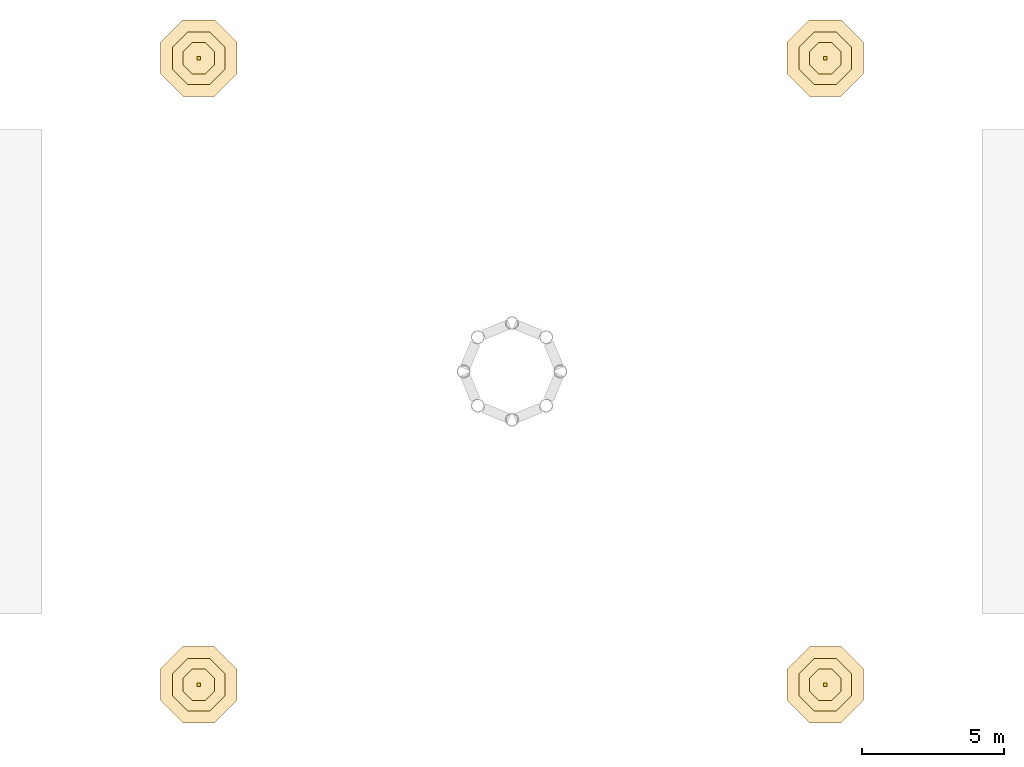
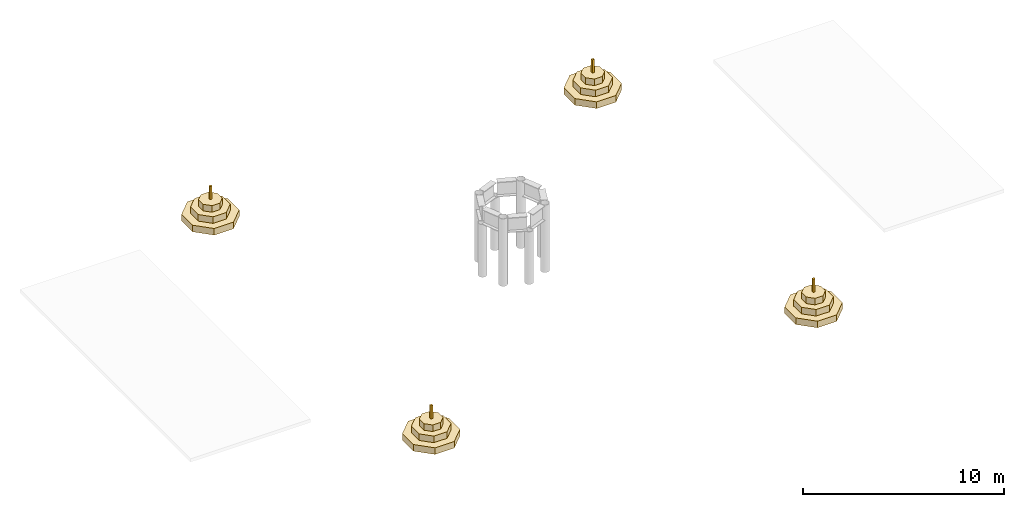
# One storey, part 2 of 2: 16 coverings.
"""IFC4 building model written with IfcOpenShell, lengths in metres."""

import ifcopenshell
import ifcopenshell.guid

model = None  # the IFC model being written
_history = None  # IfcOwnerHistory: only IFC2X3 demands one
_inside = {}  # id of a spatial element -> (the spatial element, [elements in it])
_under = {}  # id of a project, library or spatial element -> (it, [spatial elements below it])
_declared = {}  # id of a project -> (the project, [libraries it declares])
_typed = {}  # id of a type object -> (the type object, [elements of that type])
_made_of = {}  # id of a material, layer set ... -> (it, [elements and type objects made of it])


def new_model(schema):
    """Start an empty IFC model of exactly this schema.

    Asked for "IFC4X3", IfcOpenShell would pick the latest addendum, in which some entities
    have other attributes; the version numbers below select the first issue.
    IFC2X3 requires an IfcOwnerHistory on every rooted entity: one is made here for all.
    """
    global model, _history
    if schema == "IFC4X3":
        model = ifcopenshell.file(schema_version=(4, 3, 0, 0))
    else:
        model = ifcopenshell.file(schema=schema)
    _inside.clear()
    _under.clear()
    _declared.clear()
    _typed.clear()
    _made_of.clear()
    _history = None
    if model.schema == "IFC2X3":
        org = make("IfcOrganization", Name="unknown")
        user = make(
            "IfcPersonAndOrganization",
            ThePerson=make("IfcPerson", FamilyName="unknown"),
            TheOrganization=org,
        )
        app = make(
            "IfcApplication",
            ApplicationDeveloper=org,
            Version="unknown",
            ApplicationFullName="unknown",
            ApplicationIdentifier="unknown",
        )
        _history = make(
            "IfcOwnerHistory",
            OwningUser=user,
            OwningApplication=app,
            ChangeAction="ADDED",
            CreationDate=0,
        )
    return model


def make(cls, **values):
    """One entity of the class cls with the attributes given. An attribute that is None is left unset."""
    return model.create_entity(
        cls, **{name: value for name, value in values.items() if value is not None}
    )


def rooted(cls, **values):
    """An entity with a GlobalId (a new one), such as an element, a storey or a relation."""
    return make(cls, GlobalId=ifcopenshell.guid.new(), OwnerHistory=_history, **values)


def si_unit(unit_type, name, prefix=None):
    """IfcSIUnit, for example si_unit("LENGTHUNIT", "METRE", prefix="MILLI")."""
    return make("IfcSIUnit", UnitType=unit_type, Prefix=prefix, Name=name)


def assignment(units):
    """IfcUnitAssignment: the units of a project."""
    return None if units is None else make("IfcUnitAssignment", Units=units)


def point(xyz):
    """IfcCartesianPoint."""
    return None if xyz is None else make("IfcCartesianPoint", Coordinates=xyz)


def direction(xyz):
    """IfcDirection."""
    return None if xyz is None else make("IfcDirection", DirectionRatios=xyz)


def frame(location, z_axis=None, x_axis=None):
    """IfcAxis2Placement3D, a coordinate frame: its origin and axes. An axis left out is left unset."""
    return make(
        "IfcAxis2Placement3D",
        Location=point(location),
        Axis=direction(z_axis),
        RefDirection=direction(x_axis),
    )


def frame_2d(location, x_axis=None):
    """IfcAxis2Placement2D, a coordinate frame in the plane: its origin and x axis."""
    return make(
        "IfcAxis2Placement2D", Location=point(location), RefDirection=direction(x_axis)
    )


def origin():
    """The frame at (0, 0, 0) with its axes left unset."""
    return frame((0.0, 0.0, 0.0))


def origin_2d():
    """The frame at (0, 0) in the plane with its x axis left unset."""
    return frame_2d((0.0, 0.0))


def place(relative_to, where):
    """IfcLocalPlacement: puts the frame where relative to a parent placement (None: the world)."""
    return make(
        "IfcLocalPlacement", PlacementRelTo=relative_to, RelativePlacement=where
    )


def context(
    kind, dimensions, precision=None, world=None, true_north=None, identifier=None
):
    """IfcGeometricRepresentationContext, for example the 3D "Model" context."""
    return make(
        "IfcGeometricRepresentationContext",
        ContextIdentifier=identifier,
        ContextType=kind,
        CoordinateSpaceDimension=dimensions,
        Precision=precision,
        WorldCoordinateSystem=world,
        TrueNorth=true_north,
    )


def subcontext(parent, identifier, kind, view, scale=None):
    """IfcGeometricRepresentationSubContext, for example "Body" below "Model"."""
    return make(
        "IfcGeometricRepresentationSubContext",
        ContextIdentifier=identifier,
        ContextType=kind,
        ParentContext=parent,
        TargetScale=scale,
        TargetView=view,
    )


def project(units=None, contexts=None):
    """IfcProject with its units and contexts."""
    return rooted(
        "IfcProject",
        Name="project",
        RepresentationContexts=contexts,
        UnitsInContext=assignment(units),
    )


def spatial(cls, under=None, at=None, **own):
    """A site, building, storey or space (cls), placed at a placement, below another one or the project."""
    s = rooted(cls, ObjectPlacement=at, **own)
    if under is not None:
        _under.setdefault(under.id(), (under, []))[1].append(s)
    return s


def polyline(points):
    """IfcPolyline through the points."""
    return make("IfcPolyline", Points=[point(p) for p in points])


def profile(cls, at=None, kind="AREA", **sizes):
    """A parametric profile (cls). Its sizes go by their IFC names, for example OverallWidth=200.0."""
    return make(cls, ProfileType=kind, Position=at, **sizes)


def rectangle(**sizes):
    """IfcRectangleProfileDef."""
    return profile("IfcRectangleProfileDef", **sizes)


def outline(outer, holes=None, kind="AREA"):
    """IfcArbitraryClosedProfileDef: a profile drawn as a closed curve; with holes, ...WithVoids."""
    if holes is None:
        return make("IfcArbitraryClosedProfileDef", ProfileType=kind, OuterCurve=outer)
    return make(
        "IfcArbitraryProfileDefWithVoids",
        ProfileType=kind,
        OuterCurve=outer,
        InnerCurves=holes,
    )


def extrude(swept, where, along, depth):
    """IfcExtrudedAreaSolid: the profile swept, set in the frame where, extruded along a direction by depth."""
    return make(
        "IfcExtrudedAreaSolid",
        SweptArea=swept,
        Position=where,
        ExtrudedDirection=direction(along),
        Depth=depth,
    )


def shape(context_of_items, identifier, shape_type, items):
    """IfcShapeRepresentation: the items that make up one representation, for example the "Body"."""
    return make(
        "IfcShapeRepresentation",
        ContextOfItems=context_of_items,
        RepresentationIdentifier=identifier,
        RepresentationType=shape_type,
        Items=items,
    )


def material(Name=None, Category=None):
    """IfcMaterial."""
    return make("IfcMaterial", Name=Name, Category=Category)


def layer(
    of_material, thickness, ventilated=None, Name=None, Category=None, Priority=None
):
    """IfcMaterialLayer: one layer of a wall or slab, of a material (None: an air gap)."""
    return make(
        "IfcMaterialLayer",
        Material=of_material,
        LayerThickness=thickness,
        IsVentilated=ventilated,
        Name=Name,
        Category=Category,
        Priority=Priority,
    )


def layer_set(layers, Name=None):
    """IfcMaterialLayerSet."""
    return make("IfcMaterialLayerSet", MaterialLayers=layers, LayerSetName=Name)


def made_of(thing, what):
    """Note that an element or type object is made of a material, layer set ...; save() writes the relation."""
    if what is not None:
        _made_of.setdefault(what.id(), (what, []))[1].append(thing)
    return thing


def type_object(cls, material=None, **own):
    """A type object (cls), such as IfcWallType, which elements share."""
    return made_of(rooted(cls, **own), material)


def element(
    cls,
    number,
    at=None,
    inside=None,
    cuts=None,
    type_object=None,
    material=None,
    context=None,
    identifier="Body",
    shape_type=None,
    held_by="IfcProductDefinitionShape",
    body=None,
    shapes=None,
    **own,
):
    """One element of the class cls, such as IfcWall. Its Tag is "e" and its number.

    at: its placement. inside: the storey or other place that contains it. cuts: it is an
    opening in that element (IfcRelVoidsElement). A single representation is given by context,
    identifier, shape_type and body (its items); several are given by shapes. held_by: the class
    of the entity that holds the representations. save() writes the other relations.
    """
    e = rooted(cls, Tag="e%d" % number, ObjectPlacement=at, **own)
    if body is not None:
        shapes = [shape(context, identifier, shape_type, body)]
    if shapes is not None:
        e.Representation = make(held_by, Representations=shapes)
    if inside is not None:
        _inside.setdefault(inside.id(), (inside, []))[1].append(e)
    if cuts is not None:
        rooted(
            "IfcRelVoidsElement", RelatingBuildingElement=cuts, RelatedOpeningElement=e
        )
    if type_object is not None:
        _typed.setdefault(type_object.id(), (type_object, []))[1].append(e)
    return made_of(e, material)


def aggregate(whole, parts):
    """IfcRelAggregates: a whole, such as a stair, and the parts it consists of."""
    return rooted("IfcRelAggregates", RelatingObject=whole, RelatedObjects=parts)


def save(model, path):
    """Write the relations noted so far, then the file.

    IfcRelAggregates (storeys below a building ...), IfcRelContainedInSpatialStructure (elements
    in a storey), IfcRelDefinesByType, IfcRelAssociatesMaterial and IfcRelDeclares: one each for
    every whole, place, type object, material and project.
    """
    for whole, parts in _under.values():
        aggregate(whole, parts)
    for where, things in _inside.values():
        rooted(
            "IfcRelContainedInSpatialStructure",
            RelatedElements=things,
            RelatingStructure=where,
        )
    for kind, things in _typed.values():
        rooted("IfcRelDefinesByType", RelatedObjects=things, RelatingType=kind)
    for what, things in _made_of.values():
        rooted("IfcRelAssociatesMaterial", RelatedObjects=things, RelatingMaterial=what)
    for by, libraries in _declared.values():
        rooted("IfcRelDeclares", RelatingContext=by, RelatedDefinitions=libraries)
    model.write(path)


model = new_model("IFC4")

# Units and contexts
model_context = context("Model", 3, precision=1e-05, world=origin(), true_north=direction((0.0, 1.0)))
body_context = subcontext(model_context, "Body", "Model", "MODEL_VIEW")
ifc_project = project(units=[si_unit("LENGTHUNIT", "METRE"), si_unit("AREAUNIT", "SQUARE_METRE"), si_unit("VOLUMEUNIT", "CUBIC_METRE"), si_unit("PLANEANGLEUNIT", "RADIAN"), si_unit("MASSUNIT", "GRAM", prefix="KILO")], contexts=[model_context])

# Site, building, storey
site_placement = place(None, origin())
site = spatial("IfcSite", under=ifc_project, at=site_placement, CompositionType="ELEMENT")
building_placement = place(site_placement, origin())
building = spatial("IfcBuilding", under=site, at=building_placement, Name="Noorbagh Ring Tower", CompositionType="ELEMENT")
storey_placement = place(building_placement, frame((0.0, 0.0, 360.14990234375)))
storey = spatial("IfcBuildingStorey", under=building, at=storey_placement, Name="ROOF LEVEL", CompositionType="ELEMENT", Elevation=360.14990234375)

# Coverings
ifc_material_1 = material(Name="Cream sandstone dome cladding", Category="masonry")
ifc_layer = layer(ifc_material_1, 0.300048828125)
ifc_layer_set = layer_set([ifc_layer], Name="Cream sandstone dome cladding")
covering_type_1 = type_object("IfcCoveringType", Name="STYLE-KIOSK-DOME", PredefinedType="ROOFING", material=ifc_layer_set)
covering_1_placement = place(storey_placement, origin())
element("IfcCovering", 1, at=covering_1_placement, inside=storey, type_object=covering_type_1, Name="Chhatri dome", PredefinedType="ROOFING", context=body_context, shape_type="SweptSolid", body=[
    extrude(outline(polyline([(12.339599609375, 11.554931640625), (11.554931640625, 12.339599609375), (10.445068359375, 12.339599609375), (9.660400390625, 11.554931640625), (9.660400390625, 10.445068359375), (10.445068359375, 9.660400390625), (11.554931640625, 9.660400390625), (12.339599609375, 10.445068359375), (12.339599609375, 11.554931640625)])), origin(), (0.0, 0.0, 1.0), 0.400146484375),
])
covering_2_placement = place(storey_placement, frame((0.0, 0.0, 0.400146484375)))
element("IfcCovering", 2, at=covering_2_placement, inside=storey, type_object=covering_type_1, Name="Chhatri dome", PredefinedType="ROOFING", context=body_context, shape_type="SweptSolid", body=[
    extrude(outline(polyline([(11.923828125, 11.3828125), (11.3828125, 11.923828125), (10.6171875, 11.923828125), (10.076171875, 11.3828125), (10.076171875, 10.6171875), (10.6171875, 10.076171875), (11.3828125, 10.076171875), (11.923828125, 10.6171875), (11.923828125, 11.3828125)])), origin(), (0.0, 0.0, 1.0), 0.39990234375),
])
covering_3_placement = place(storey_placement, frame((0.0, 0.0, 0.800048828125)))
element("IfcCovering", 3, at=covering_3_placement, inside=storey, type_object=covering_type_1, Name="Chhatri dome", PredefinedType="ROOFING", context=body_context, shape_type="SweptSolid", body=[
    extrude(outline(polyline([(11.55419921875, 11.2294921875), (11.2294921875, 11.55419921875), (10.7705078125, 11.55419921875), (10.44580078125, 11.2294921875), (10.44580078125, 10.7705078125), (10.7705078125, 10.44580078125), (11.2294921875, 10.44580078125), (11.55419921875, 10.7705078125), (11.55419921875, 11.2294921875)])), origin(), (0.0, 0.0, 1.0), 0.400146484375),
])
covering_4_placement = place(storey_placement, origin())
element("IfcCovering", 4, at=covering_4_placement, inside=storey, type_object=covering_type_1, Name="Chhatri dome", PredefinedType="ROOFING", context=body_context, shape_type="SweptSolid", body=[
    extrude(outline(polyline([(-9.660400390625, 11.554931640625), (-10.445068359375, 12.339599609375), (-11.554931640625, 12.339599609375), (-12.339599609375, 11.554931640625), (-12.339599609375, 10.445068359375), (-11.554931640625, 9.660400390625), (-10.445068359375, 9.660400390625), (-9.660400390625, 10.445068359375), (-9.660400390625, 11.554931640625)])), origin(), (0.0, 0.0, 1.0), 0.400146484375),
])
covering_5_placement = place(storey_placement, frame((0.0, 0.0, 0.400146484375)))
element("IfcCovering", 5, at=covering_5_placement, inside=storey, type_object=covering_type_1, Name="Chhatri dome", PredefinedType="ROOFING", context=body_context, shape_type="SweptSolid", body=[
    extrude(outline(polyline([(-10.076171875, 11.3828125), (-10.6171875, 11.923828125), (-11.3828125, 11.923828125), (-11.923828125, 11.3828125), (-11.923828125, 10.6171875), (-11.3828125, 10.076171875), (-10.6171875, 10.076171875), (-10.076171875, 10.6171875), (-10.076171875, 11.3828125)])), origin(), (0.0, 0.0, 1.0), 0.39990234375),
])
covering_6_placement = place(storey_placement, frame((0.0, 0.0, 0.800048828125)))
element("IfcCovering", 6, at=covering_6_placement, inside=storey, type_object=covering_type_1, Name="Chhatri dome", PredefinedType="ROOFING", context=body_context, shape_type="SweptSolid", body=[
    extrude(outline(polyline([(-10.44580078125, 11.2294921875), (-10.7705078125, 11.55419921875), (-11.2294921875, 11.55419921875), (-11.55419921875, 11.2294921875), (-11.55419921875, 10.7705078125), (-11.2294921875, 10.44580078125), (-10.7705078125, 10.44580078125), (-10.44580078125, 10.7705078125), (-10.44580078125, 11.2294921875)])), origin(), (0.0, 0.0, 1.0), 0.400146484375),
])
covering_7_placement = place(storey_placement, origin())
element("IfcCovering", 7, at=covering_7_placement, inside=storey, type_object=covering_type_1, Name="Chhatri dome", PredefinedType="ROOFING", context=body_context, shape_type="SweptSolid", body=[
    extrude(outline(polyline([(-9.660400390625, -10.445068359375), (-10.445068359375, -9.660400390625), (-11.554931640625, -9.660400390625), (-12.339599609375, -10.445068359375), (-12.339599609375, -11.554931640625), (-11.554931640625, -12.339599609375), (-10.445068359375, -12.339599609375), (-9.660400390625, -11.554931640625), (-9.660400390625, -10.445068359375)])), origin(), (0.0, 0.0, 1.0), 0.400146484375),
])
covering_8_placement = place(storey_placement, frame((0.0, 0.0, 0.400146484375)))
element("IfcCovering", 8, at=covering_8_placement, inside=storey, type_object=covering_type_1, Name="Chhatri dome", PredefinedType="ROOFING", context=body_context, shape_type="SweptSolid", body=[
    extrude(outline(polyline([(-10.076171875, -10.6171875), (-10.6171875, -10.076171875), (-11.3828125, -10.076171875), (-11.923828125, -10.6171875), (-11.923828125, -11.3828125), (-11.3828125, -11.923828125), (-10.6171875, -11.923828125), (-10.076171875, -11.3828125), (-10.076171875, -10.6171875)])), origin(), (0.0, 0.0, 1.0), 0.39990234375),
])
covering_9_placement = place(storey_placement, frame((0.0, 0.0, 0.800048828125)))
element("IfcCovering", 9, at=covering_9_placement, inside=storey, type_object=covering_type_1, Name="Chhatri dome", PredefinedType="ROOFING", context=body_context, shape_type="SweptSolid", body=[
    extrude(outline(polyline([(-10.44580078125, -10.7705078125), (-10.7705078125, -10.44580078125), (-11.2294921875, -10.44580078125), (-11.55419921875, -10.7705078125), (-11.55419921875, -11.2294921875), (-11.2294921875, -11.55419921875), (-10.7705078125, -11.55419921875), (-10.44580078125, -11.2294921875), (-10.44580078125, -10.7705078125)])), origin(), (0.0, 0.0, 1.0), 0.400146484375),
])
covering_10_placement = place(storey_placement, origin())
element("IfcCovering", 10, at=covering_10_placement, inside=storey, type_object=covering_type_1, Name="Chhatri dome", PredefinedType="ROOFING", context=body_context, shape_type="SweptSolid", body=[
    extrude(outline(polyline([(12.339599609375, -10.445068359375), (11.554931640625, -9.660400390625), (10.445068359375, -9.660400390625), (9.660400390625, -10.445068359375), (9.660400390625, -11.554931640625), (10.445068359375, -12.339599609375), (11.554931640625, -12.339599609375), (12.339599609375, -11.554931640625), (12.339599609375, -10.445068359375)])), origin(), (0.0, 0.0, 1.0), 0.400146484375),
])
covering_11_placement = place(storey_placement, frame((0.0, 0.0, 0.400146484375)))
element("IfcCovering", 11, at=covering_11_placement, inside=storey, type_object=covering_type_1, Name="Chhatri dome", PredefinedType="ROOFING", context=body_context, shape_type="SweptSolid", body=[
    extrude(outline(polyline([(11.923828125, -10.6171875), (11.3828125, -10.076171875), (10.6171875, -10.076171875), (10.076171875, -10.6171875), (10.076171875, -11.3828125), (10.6171875, -11.923828125), (11.3828125, -11.923828125), (11.923828125, -11.3828125), (11.923828125, -10.6171875)])), origin(), (0.0, 0.0, 1.0), 0.39990234375),
])
covering_12_placement = place(storey_placement, frame((0.0, 0.0, 0.800048828125)))
element("IfcCovering", 12, at=covering_12_placement, inside=storey, type_object=covering_type_1, Name="Chhatri dome", PredefinedType="ROOFING", context=body_context, shape_type="SweptSolid", body=[
    extrude(outline(polyline([(11.55419921875, -10.7705078125), (11.2294921875, -10.44580078125), (10.7705078125, -10.44580078125), (10.44580078125, -10.7705078125), (10.44580078125, -11.2294921875), (10.7705078125, -11.55419921875), (11.2294921875, -11.55419921875), (11.55419921875, -11.2294921875), (11.55419921875, -10.7705078125)])), origin(), (0.0, 0.0, 1.0), 0.400146484375),
])
ifc_material_2 = material(Name="Brass finial")
covering_type_2 = type_object("IfcCoveringType", Name="STYLE-KIOSK-FINIAL", PredefinedType="ROOFING", material=ifc_material_2)
for number, where, z_axis, x_axis, name in (
    (13, (11.0, 11.0, 1.2001953125), (0.0, 0.0, 1.0), (1.0, 0.0, 0.0), "Chhatri finial"),
    (14, (-11.0, 11.0, 1.2001953125), (0.0, 0.0, 1.0), (1.0, 0.0, 0.0), "Chhatri finial"),
    (15, (-11.0, -11.0, 1.2001953125), (0.0, 0.0, 1.0), (1.0, 0.0, 0.0), "Chhatri finial"),
    (16, (11.0, -11.0, 1.2001953125), (0.0, 0.0, 1.0), (1.0, 0.0, 0.0), "Chhatri finial"),
):
    element("IfcCovering", number, at=place(storey_placement, frame(where, z_axis=z_axis, x_axis=x_axis)), inside=storey, type_object=covering_type_2, Name=name, PredefinedType="ROOFING", context=body_context, shape_type="SweptSolid", body=[
        extrude(rectangle(XDim=0.1201171875, YDim=0.1201171875, at=origin_2d()), origin(), (0.0, 0.0, 1.0), 0.800048828125),
    ])

save(model, "model.ifc")
